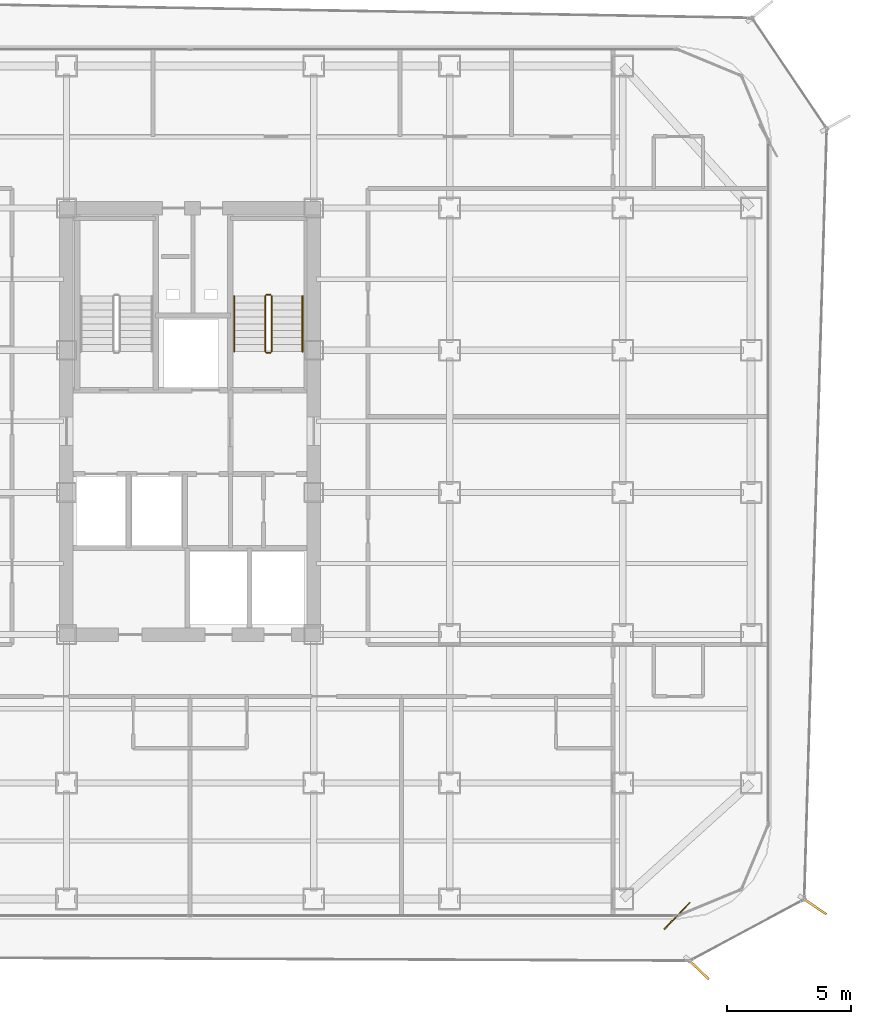
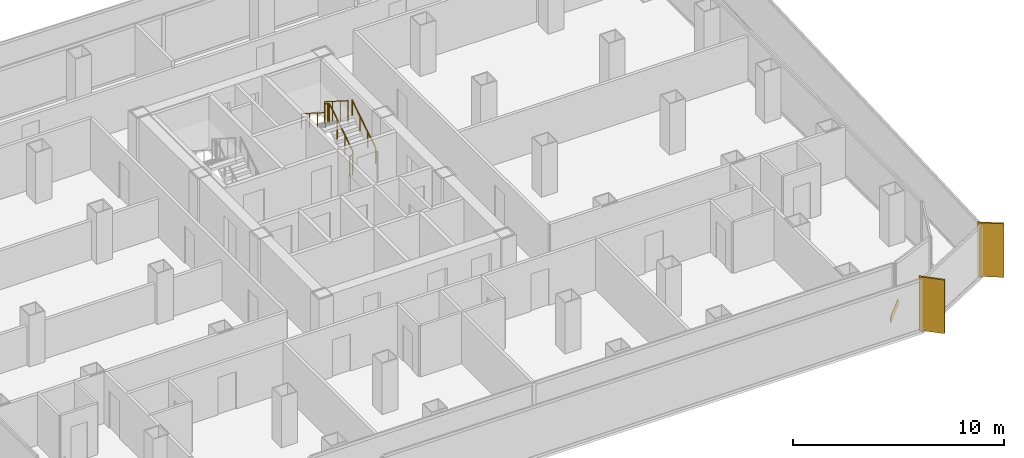
# One storey, part 20 of 21: 6 railings, 2 shading devices, 1 covering.
"""IFC4 building model written with IfcOpenShell, lengths in metres."""

from ifc_helpers import new_model, si_unit, direction, frame, origin, origin_2d, place, context, subcontext, project, spatial, rectangle, circle, extrude, source, transform, mapped, material, layer, layer_set, type_object, element, save


model = new_model("IFC4")

# Units and contexts
model_context = context("Model", 3, precision=1e-05, world=origin(), true_north=direction((0.0, 1.0)))
body_context = subcontext(model_context, "Body", "Model", "MODEL_VIEW")
ifc_project = project(units=[si_unit("LENGTHUNIT", "METRE"), si_unit("AREAUNIT", "SQUARE_METRE"), si_unit("VOLUMEUNIT", "CUBIC_METRE"), si_unit("PLANEANGLEUNIT", "RADIAN"), si_unit("MASSUNIT", "GRAM", prefix="KILO")], contexts=[model_context])

# Site, building, storey
site_placement = place(None, origin())
site = spatial("IfcSite", under=ifc_project, at=site_placement, CompositionType="ELEMENT")
building_placement = place(site_placement, origin())
building = spatial("IfcBuilding", under=site, at=building_placement, Name="Kolveth Station Tower", CompositionType="ELEMENT")
storey_placement = place(building_placement, frame((0.0, 0.0, 108.699951171875)))
storey = spatial("IfcBuildingStorey", under=building, at=storey_placement, Name="L29", CompositionType="ELEMENT", Elevation=108.699951171875)

# Railings
ifc_material_1 = material(Name="Painted Steel S355 balustrade", Category="steel")
railing_type_1 = type_object("IfcRailingType", Name="Guard_GR2", PredefinedType="BALUSTRADE", material=ifc_material_1)
railing_1_placement = place(storey_placement, frame((26.800048828125, 22.949951171875, 0.177734375)))
element("IfcRailing", 1, at=railing_1_placement, inside=storey, type_object=railing_type_1, Name="L29 ST2 stair guard 1", PredefinedType="BALUSTRADE", context=body_context, shape_type="SweptSolid", body=[
    extrude(circle(Radius=0.02392578125, at=origin_2d()), frame((0.0, 0.0, 1.1259765625), z_axis=(0.0, 0.84418770128, 0.536047689118), x_axis=(-1.0, 0.0, 0.0)), (0.0, 0.0, 1.0), 2.6533203125),
    extrude(circle(Radius=0.02099609375, at=origin_2d()), origin(), (0.0, 0.0, 1.0), 1.101806640625),
    extrude(circle(Radius=0.02099609375, at=origin_2d()), frame((0.0, 0.74658203125, 0.47412109375)), (0.0, 0.0, 1.0), 1.101806640625),
    extrude(circle(Radius=0.02099609375, at=origin_2d()), frame((0.0, 1.493408203125, 0.9482421875)), (0.0, 0.0, 1.0), 1.101806640625),
    extrude(circle(Radius=0.02099609375, at=origin_2d()), frame((0.0, 2.239990234375, 1.42236328125)), (0.0, 0.0, 1.0), 1.101806640625),
])
railing_2_placement = place(storey_placement, frame((26.75, 25.239990234375, 1.60009765625)))
element("IfcRailing", 2, at=railing_2_placement, inside=storey, type_object=railing_type_1, Name="L29 ST2 stair guard 2", PredefinedType="BALUSTRADE", context=body_context, shape_type="SweptSolid", body=[
    extrude(circle(Radius=0.02392578125, at=origin_2d()), frame((0.0, 0.0, 1.1259765625), z_axis=(-1.0, 0.0, 0.0), x_axis=(0.0, -1.0, 0.0)), (0.0, 0.0, 1.0), 0.159912109375),
    extrude(circle(Radius=0.02099609375, at=origin_2d()), origin(), (0.0, 0.0, 1.0), 1.101806640625),
    extrude(circle(Radius=0.02099609375, at=origin_2d()), frame((-0.159912109375, 0.0, 0.0)), (0.0, 0.0, 1.0), 1.101806640625),
])
railing_3_placement = place(storey_placement, frame((26.5400390625, 25.18994140625, 1.77783203125)))
element("IfcRailing", 3, at=railing_3_placement, inside=storey, type_object=railing_type_1, Name="L29 ST2 stair guard 3", PredefinedType="BALUSTRADE", context=body_context, shape_type="SweptSolid", body=[
    extrude(circle(Radius=0.02392578125, at=origin_2d()), frame((0.0, 0.0, 1.1259765625), z_axis=(0.0, -0.8442293374, 0.53598211339), x_axis=(1.0, 0.0, 0.0)), (0.0, 0.0, 1.0), 2.6533203125),
    extrude(circle(Radius=0.02099609375, at=origin_2d()), origin(), (0.0, 0.0, 1.0), 1.101806640625),
    extrude(circle(Radius=0.02099609375, at=origin_2d()), frame((0.0, -0.74658203125, 0.47412109375)), (0.0, 0.0, 1.0), 1.101806640625),
    extrude(circle(Radius=0.02099609375, at=origin_2d()), frame((0.0, -1.493408203125, 0.947998046875)), (0.0, 0.0, 1.0), 1.101806640625),
    extrude(circle(Radius=0.02099609375, at=origin_2d()), frame((0.0, -2.239990234375, 1.422119140625)), (0.0, 0.0, 1.0), 1.101806640625),
])
railing_4_placement = place(storey_placement, frame((26.75, 22.89990234375, 0.0)))
element("IfcRailing", 4, at=railing_4_placement, inside=storey, type_object=railing_type_1, Name="L29 ST2 stair guard 4", PredefinedType="BALUSTRADE", context=body_context, shape_type="SweptSolid", body=[
    extrude(circle(Radius=0.02392578125, at=origin_2d()), frame((0.0, 0.0, 1.1259765625), z_axis=(-1.0, 0.0, 0.0), x_axis=(0.0, -1.0, 0.0)), (0.0, 0.0, 1.0), 0.159912109375),
    extrude(circle(Radius=0.02099609375, at=origin_2d()), origin(), (0.0, 0.0, 1.0), 1.101806640625),
    extrude(circle(Radius=0.02099609375, at=origin_2d()), frame((-0.159912109375, 0.0, 0.0)), (0.0, 0.0, 1.0), 1.101806640625),
])
ifc_material_2 = material(Name="Brushed stainless steel", Category="steel")
railing_type_2 = type_object("IfcRailingType", Name="Handrail_HR1", PredefinedType="HANDRAIL", material=ifc_material_2)
railing_5_placement = place(storey_placement, frame((28.050048828125, 22.949951171875, 0.177734375)))
element("IfcRailing", 5, at=railing_5_placement, inside=storey, type_object=railing_type_2, Name="L29 ST2 stair handrail 1", PredefinedType="HANDRAIL", context=body_context, shape_type="SweptSolid", body=[
    extrude(circle(Radius=0.02392578125, at=origin_2d()), frame((0.0, 0.0, 0.8759765625), z_axis=(0.0, 0.84418770128, 0.536047689118), x_axis=(-1.0, 0.0, 0.0)), (0.0, 0.0, 1.0), 2.6533203125),
    extrude(circle(Radius=0.02099609375, at=origin_2d()), origin(), (0.0, 0.0, 1.0), 0.851806640625),
    extrude(circle(Radius=0.02099609375, at=origin_2d()), frame((0.0, 0.74658203125, 0.47412109375)), (0.0, 0.0, 1.0), 0.851806640625),
    extrude(circle(Radius=0.02099609375, at=origin_2d()), frame((0.0, 1.493408203125, 0.9482421875)), (0.0, 0.0, 1.0), 0.851806640625),
    extrude(circle(Radius=0.02099609375, at=origin_2d()), frame((0.0, 2.239990234375, 1.42236328125)), (0.0, 0.0, 1.0), 0.851806640625),
])
railing_6_placement = place(storey_placement, frame((25.2900390625, 25.18994140625, 1.77783203125)))
element("IfcRailing", 6, at=railing_6_placement, inside=storey, type_object=railing_type_2, Name="L29 ST2 stair handrail 2", PredefinedType="HANDRAIL", context=body_context, shape_type="SweptSolid", body=[
    extrude(circle(Radius=0.02392578125, at=origin_2d()), frame((0.0, 0.0, 0.8759765625), z_axis=(0.0, -0.8442293374, 0.53598211339), x_axis=(1.0, 0.0, 0.0)), (0.0, 0.0, 1.0), 2.6533203125),
    extrude(circle(Radius=0.02099609375, at=origin_2d()), origin(), (0.0, 0.0, 1.0), 0.851806640625),
    extrude(circle(Radius=0.02099609375, at=origin_2d()), frame((0.0, -0.74658203125, 0.47412109375)), (0.0, 0.0, 1.0), 0.851806640625),
    extrude(circle(Radius=0.02099609375, at=origin_2d()), frame((0.0, -1.493408203125, 0.947998046875)), (0.0, 0.0, 1.0), 0.851806640625),
    extrude(circle(Radius=0.02099609375, at=origin_2d()), frame((0.0, -2.239990234375, 1.422119140625)), (0.0, 0.0, 1.0), 0.851806640625),
])

# Shading devices
ifc_material_3 = material(Name="Black anodized aluminium 6063-T6", Category="aluminium")
shading_device_type = type_object("IfcShadingDeviceType", Name="FIN_VF1", PredefinedType="USERDEFINED", material=ifc_material_3)
shared_shape_1 = source(origin(), body_context, "Body", "SweptSolid", [
    extrude(rectangle(XDim=1.25, YDim=0.090087890625, at=origin_2d()), origin(), (0.0, 0.0, 1.0), 3.10009765625),
])
for number, where, z_axis, x_axis, name in (
    (7, (44.031982421875, -2.007080078125, 0.0), (0.0, 0.0, 1.0), (0.72236396206, -0.691513055782, 0.0), "L29 Dark-Aluminium Solar Fin 1"),
    (8, (48.720947265625, 0.537109375, 0.0), (0.0, 0.0, 1.0), (0.827472780913, -0.561505829755, 0.0), "L29 Dark-Aluminium Solar Fin 2"),
):
    element("IfcShadingDevice", number, at=place(storey_placement, frame(where, z_axis=z_axis, x_axis=x_axis)), inside=storey, type_object=shading_device_type, Name=name, ObjectType="FIN", PredefinedType="USERDEFINED", context=body_context, shape_type="MappedRepresentation", body=[
        mapped(shared_shape_1, transform((0.0, 0.0, 0.0), x_axis=(1.0, 0.0, 0.0), y_axis=(0.0, 1.0, 0.0), z_axis=(0.0, 0.0, 1.0), scale=1.0)),
    ])

# Covering
ifc_material_4 = material(Name="Charcoal anodized aluminium spandrel cladding", Category="aluminium")
ifc_layer = layer(ifc_material_4, 0.044921875)
ifc_layer_set = layer_set([ifc_layer], Name="Charcoal anodized aluminium spandrel cladding")
covering_type = type_object("IfcCoveringType", Name="Clad_CD1", PredefinedType="CLADDING", material=ifc_layer_set)
shared_shape_2 = source(origin(), body_context, "Body", "SweptSolid", [
    extrude(rectangle(XDim=1.5, YDim=0.044921875, at=origin_2d()), origin(), (0.0, 0.0, 1.0), 0.360107421875),
])
covering_placement = place(storey_placement, frame((43.199951171875, 0.1201171875, 0.0), z_axis=(0.0, 0.0, 1.0), x_axis=(0.691513055782, 0.72236396206, 0.0)))
element("IfcCovering", 9, at=covering_placement, inside=storey, type_object=covering_type, Name="L29 Spandrel Edge Cladding 1", PredefinedType="CLADDING", context=body_context, shape_type="MappedRepresentation", body=[
    mapped(shared_shape_2, transform((0.0, 0.0, 0.0), x_axis=(1.0, 0.0, 0.0), y_axis=(0.0, 1.0, 0.0), z_axis=(0.0, 0.0, 1.0), scale=1.0)),
])

save(model, "model.ifc")
